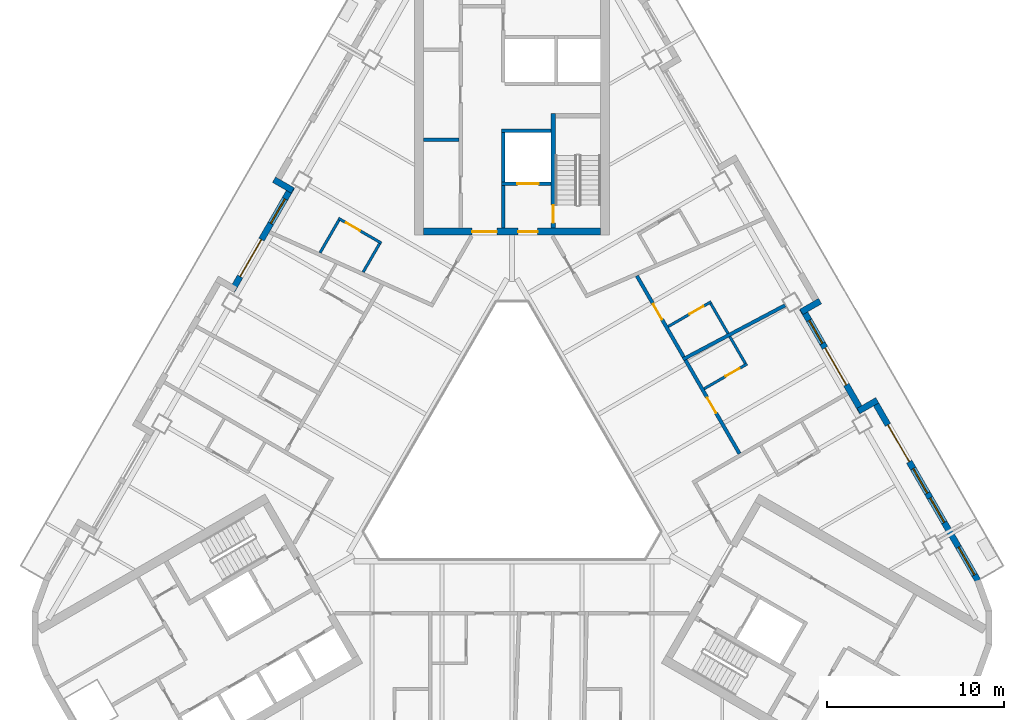
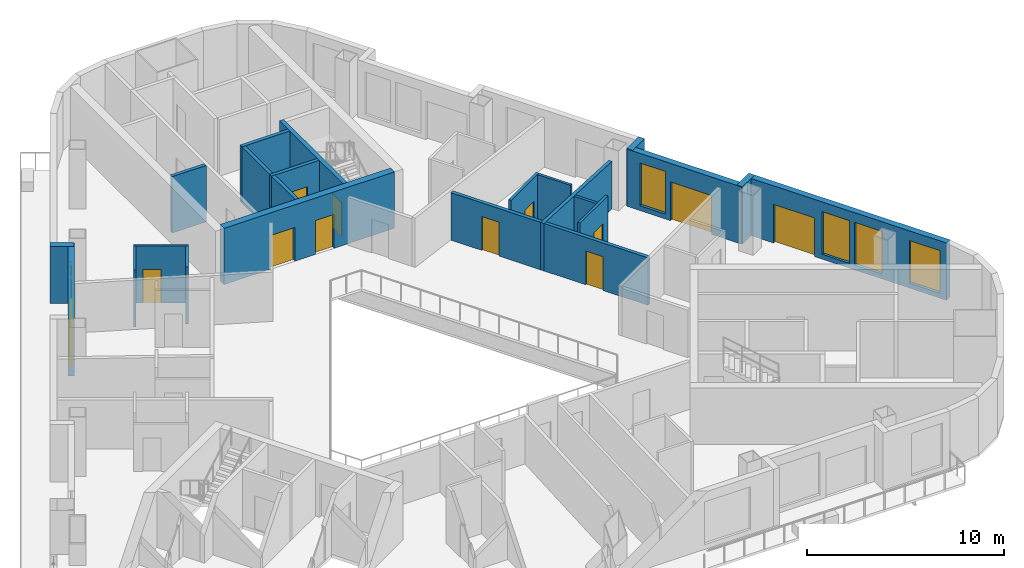
# One storey, part 6 of 14: 23 walls, 12 doors, 5 windows, 17 openings.
"""IFC4 building model written with IfcOpenShell, lengths in metres."""

from ifc_helpers import new_model, si_unit, direction, frame, frame_2d, origin, place, context, subcontext, project, spatial, rectangle, extrude, material, layer, layer_set, type_object, element, fill, save


model = new_model("IFC4")

# Units and contexts
model_context = context("Model", 3, precision=1e-05, world=origin(), true_north=direction((0.0, 1.0)))
body_context = subcontext(model_context, "Body", "Model", "MODEL_VIEW")
ifc_project = project(units=[si_unit("LENGTHUNIT", "METRE"), si_unit("AREAUNIT", "SQUARE_METRE"), si_unit("VOLUMEUNIT", "CUBIC_METRE"), si_unit("PLANEANGLEUNIT", "RADIAN"), si_unit("MASSUNIT", "GRAM", prefix="KILO")], contexts=[model_context])

# Site, building, storey
site_placement = place(None, origin())
site = spatial("IfcSite", under=ifc_project, at=site_placement, CompositionType="ELEMENT")
building_placement = place(site_placement, origin())
building = spatial("IfcBuilding", under=site, at=building_placement, Name="Apuvela Tower Hotel", CompositionType="ELEMENT")
storey_placement = place(building_placement, frame((0.0, 0.0, 157.699951171875)))
storey = spatial("IfcBuildingStorey", under=building, at=storey_placement, Name="L37", CompositionType="ELEMENT", Elevation=157.699951171875)

# Wall, openings, doors
ifc_material_1 = material(Name="Concrete C50/60", Category="concrete")
ifc_layer_1 = layer(ifc_material_1, 0.39990234375)
ifc_layer_set_1 = layer_set([ifc_layer_1], Name="COR-WALL-CORE-400")
wall_type_1 = type_object("IfcWallType", Name="COR-WALL-CORE-400", PredefinedType="SHEAR", material=ifc_layer_set_1)
wall_1_placement = place(storey_placement, frame((5.0, 13.10009765625, 0.0), z_axis=(0.0, 0.0, 1.0), x_axis=(-1.0, 0.0, 0.0)))
wall_1 = element("IfcWall", 1, at=wall_1_placement, inside=storey, type_object=wall_type_1, Name="Core wall N", PredefinedType="SHEAR", context=body_context, shape_type="SweptSolid", body=[
    extrude(rectangle(XDim=10.0, YDim=0.39990234375, at=frame_2d((5.0, 0.0))), origin(), (0.0, 0.0, 1.0), 3.5),
])
opening_1_placement = place(wall_1_placement, frame((3.550048828125, 0.0, 0.0)))
opening_1 = element("IfcOpeningElement", 2, at=opening_1_placement, cuts=wall_1, Name="Opening N-FD", PredefinedType="OPENING", context=body_context, shape_type="SweptSolid", body=[
    extrude(rectangle(XDim=1.10009765625, YDim=2.10009765625, at=frame_2d((0.550048828125, 1.050048828125))), frame((0.0, 0.2099609375, 0.0), z_axis=(0.0, -1.0, 0.0), x_axis=(1.0, 0.0, 0.0)), (0.0, 0.0, 1.0), 0.419921875),
])
opening_2_placement = place(wall_1_placement, frame((5.85009765625, 0.0, 0.0)))
opening_2 = element("IfcOpeningElement", 3, at=opening_2_placement, cuts=wall_1, Name="Opening N-GD", PredefinedType="OPENING", context=body_context, shape_type="SweptSolid", body=[
    extrude(rectangle(XDim=1.39990234375, YDim=2.10009765625, at=frame_2d((0.699951171875, 1.050048828125))), frame((0.0, 0.2099609375, 0.0), z_axis=(0.0, -1.0, 0.0), x_axis=(1.0, 0.0, 0.0)), (0.0, 0.0, 1.0), 0.419921875),
])
ifc_material_2 = material(Name="Steel fire door, powder coated", Category="steel")
door_type_1 = type_object("IfcDoorType", Name="COR-FD-1100", OperationType="NOTDEFINED", PredefinedType="DOOR", material=ifc_material_2)
door_1_placement = place(opening_1_placement, frame((1.10009765625, 0.0, 0.0), z_axis=(0.0, 0.0, 1.0), x_axis=(-1.0, 0.0, 0.0)))
door_1 = element("IfcDoor", 4, at=door_1_placement, inside=storey, type_object=door_type_1, Name="Firefighting lobby door N-FD", OperationType="SINGLE_SWING_LEFT", OverallHeight=2.10009765625, OverallWidth=1.10009765625, PredefinedType="DOOR", context=body_context, shape_type="SweptSolid", body=[
    extrude(rectangle(XDim=1.10009765625, YDim=2.10009765625, at=frame_2d((0.550048828125, 1.050048828125))), frame((0.0, 0.02490234375, 0.0), z_axis=(0.0, -1.0, 0.0), x_axis=(1.0, 0.0, 0.0)), (0.0, 0.0, 1.0), 0.050048828125),
])
fill(opening_1, door_1)
ifc_material_3 = material(Name="Glazed steel fire door", Category="steel")
door_type_2 = type_object("IfcDoorType", Name="COR-GD-1400", OperationType="DOUBLE_DOOR_SINGLE_SWING", PredefinedType="DOOR", material=ifc_material_3)
door_2_placement = place(opening_2_placement, frame((1.39990234375, 0.0, 0.0), z_axis=(0.0, 0.0, 1.0), x_axis=(-1.0, 0.0, 0.0)))
door_2 = element("IfcDoor", 5, at=door_2_placement, inside=storey, type_object=door_type_2, Name="Lift lobby door N-GD", OperationType="DOUBLE_DOOR_SINGLE_SWING", OverallHeight=2.10009765625, OverallWidth=1.39990234375, PredefinedType="DOOR", context=body_context, shape_type="SweptSolid", body=[
    extrude(rectangle(XDim=1.39990234375, YDim=2.10009765625, at=frame_2d((0.699951171875, 1.050048828125))), frame((0.0, 0.02490234375, 0.0), z_axis=(0.0, -1.0, 0.0), x_axis=(1.0, 0.0, 0.0)), (0.0, 0.0, 1.0), 0.050048828125),
])
fill(opening_2, door_2)

# Wall
ifc_layer_2 = layer(ifc_material_1, 0.199951171875)
ifc_layer_set_2 = layer_set([ifc_layer_2], Name="COR-WALL-SHAFT-200")
wall_type_2 = type_object("IfcWallType", Name="COR-WALL-SHAFT-200", PredefinedType="SHEAR", material=ifc_layer_set_2)
wall_2_placement = place(storey_placement, frame((2.199951171875, 18.800048828125, 0.0), z_axis=(0.0, 0.0, 1.0), x_axis=(-1.0, 0.0, 0.0)))
element("IfcWall", 6, at=wall_2_placement, inside=storey, type_object=wall_type_2, Name="Shaft wall N", PredefinedType="SHEAR", context=body_context, shape_type="SweptSolid", body=[
    extrude(rectangle(XDim=2.800048828125, YDim=0.199951171875, at=frame_2d((1.39990234375, 0.0))), origin(), (0.0, 0.0, 1.0), 3.5),
])

# Wall, opening, door
wall_3_placement = place(storey_placement, frame((2.199951171875, 15.800048828125, 0.0), z_axis=(0.0, 0.0, 1.0), x_axis=(-1.0, 0.0, 0.0)))
wall_3 = element("IfcWall", 7, at=wall_3_placement, inside=storey, type_object=wall_type_2, Name="Shaft wall N", PredefinedType="SHEAR", context=body_context, shape_type="SweptSolid", body=[
    extrude(rectangle(XDim=2.800048828125, YDim=0.199951171875, at=frame_2d((1.39990234375, 0.0))), origin(), (0.0, 0.0, 1.0), 3.5),
])
opening_3_placement = place(wall_3_placement, frame((0.699951171875, 0.0, 0.0)))
opening_3 = element("IfcOpeningElement", 8, at=opening_3_placement, cuts=wall_3, Name="Opening N-LD-FS1", PredefinedType="OPENING", context=body_context, shape_type="SweptSolid", body=[
    extrude(rectangle(XDim=1.199951171875, YDim=2.10009765625, at=frame_2d((0.60009765625, 1.050048828125))), frame((0.0, 0.10986328125, 0.0), z_axis=(0.0, -1.0, 0.0), x_axis=(1.0, 0.0, 0.0)), (0.0, 0.0, 1.0), 0.219970703125),
])
ifc_material_4 = material(Name="Stainless steel lift landing door", Category="steel")
door_type_3 = type_object("IfcDoorType", Name="COR-LD-1200", OperationType="DOUBLE_DOOR_SLIDING", PredefinedType="DOOR", material=ifc_material_4)
door_3_placement = place(opening_3_placement, origin())
door_3 = element("IfcDoor", 9, at=door_3_placement, inside=storey, type_object=door_type_3, Name="Lift landing door N-LD-FS1", OperationType="DOUBLE_DOOR_SLIDING", OverallHeight=2.10009765625, OverallWidth=1.199951171875, PredefinedType="DOOR", context=body_context, shape_type="SweptSolid", body=[
    extrude(rectangle(XDim=1.199951171875, YDim=2.10009765625, at=frame_2d((0.60009765625, 1.050048828125))), frame((0.0, 0.02490234375, 0.0), z_axis=(0.0, -1.0, 0.0), x_axis=(1.0, 0.0, 0.0)), (0.0, 0.0, 1.0), 0.050048828125),
])
fill(opening_3, door_3)

# Walls
wall_4_placement = place(storey_placement, frame((-0.5, 15.89990234375, 0.0), z_axis=(0.0, 0.0, 1.0), x_axis=(0.0, 1.0, 0.0)))
element("IfcWall", 10, at=wall_4_placement, inside=storey, type_object=wall_type_2, Name="Shaft wall N", PredefinedType="SHEAR", context=body_context, shape_type="SweptSolid", body=[
    extrude(rectangle(XDim=2.800048828125, YDim=0.199951171875, at=frame_2d((1.39990234375, 0.0))), origin(), (0.0, 0.0, 1.0), 3.5),
])
wall_5_placement = place(storey_placement, frame((-0.5, 13.300048828125, 0.0), z_axis=(0.0, 0.0, 1.0), x_axis=(0.0, 1.0, 0.0)))
element("IfcWall", 11, at=wall_5_placement, inside=storey, type_object=wall_type_2, Name="Shaft wall N", PredefinedType="SHEAR", context=body_context, shape_type="SweptSolid", body=[
    extrude(rectangle(XDim=2.39990234375, YDim=0.199951171875, at=frame_2d((1.199951171875, 0.0))), origin(), (0.0, 0.0, 1.0), 3.5),
])
wall_6_placement = place(storey_placement, frame((-3.0, 18.280029296875, 0.0), z_axis=(0.0, 0.0, 1.0), x_axis=(-1.0, 0.0, 0.0)))
element("IfcWall", 12, at=wall_6_placement, inside=storey, type_object=wall_type_2, Name="Shaft wall N", PredefinedType="SHEAR", context=body_context, shape_type="SweptSolid", body=[
    extrude(rectangle(XDim=2.0, YDim=0.199951171875, at=frame_2d((1.0, 0.0))), origin(), (0.0, 0.0, 1.0), 3.5),
])

# Wall, opening, door
ifc_layer_3 = layer(ifc_material_1, 0.25)
ifc_layer_set_3 = layer_set([ifc_layer_3], Name="COR-WALL-STAIR-250")
wall_type_3 = type_object("IfcWallType", Name="COR-WALL-STAIR-250", PredefinedType="SHEAR", material=ifc_layer_set_3)
wall_7_placement = place(storey_placement, frame((2.324951171875, 13.300048828125, 0.0), z_axis=(0.0, 0.0, 1.0), x_axis=(0.0, 1.0, 0.0)))
wall_7 = element("IfcWall", 13, at=wall_7_placement, inside=storey, type_object=wall_type_3, Name="Stair wall N", PredefinedType="SHEAR", context=body_context, shape_type="SweptSolid", body=[
    extrude(rectangle(XDim=6.449951171875, YDim=0.25, at=frame_2d((3.22509765625, 0.0))), origin(), (0.0, 0.0, 1.0), 3.5),
])
opening_4_placement = place(wall_7_placement, frame((0.300048828125, 0.0, 0.0)))
opening_4 = element("IfcOpeningElement", 14, at=opening_4_placement, cuts=wall_7, Name="Opening N-SD", PredefinedType="OPENING", context=body_context, shape_type="SweptSolid", body=[
    extrude(rectangle(XDim=1.0, YDim=2.10009765625, at=frame_2d((0.5, 1.050048828125))), frame((0.0, 0.135009765625, 0.0), z_axis=(0.0, -1.0, 0.0), x_axis=(1.0, 0.0, 0.0)), (0.0, 0.0, 1.0), 0.27001953125),
])
door_type_4 = type_object("IfcDoorType", Name="COR-SD-1000", OperationType="NOTDEFINED", PredefinedType="DOOR", material=ifc_material_2)
door_4_placement = place(opening_4_placement, frame((1.0, 0.0, 0.0), z_axis=(0.0, 0.0, 1.0), x_axis=(-1.0, 0.0, 0.0)))
door_4 = element("IfcDoor", 15, at=door_4_placement, inside=storey, type_object=door_type_4, Name="Stair door N-SD", OperationType="SINGLE_SWING_LEFT", OverallHeight=2.10009765625, OverallWidth=1.0, PredefinedType="DOOR", context=body_context, shape_type="SweptSolid", body=[
    extrude(rectangle(XDim=1.0, YDim=2.10009765625, at=frame_2d((0.5, 1.050048828125))), frame((0.0, 0.02490234375, 0.0), z_axis=(0.0, -1.0, 0.0), x_axis=(1.0, 0.0, 0.0)), (0.0, 0.0, 1.0), 0.050048828125),
])
fill(opening_4, door_4)

# Wall
ifc_material_5 = material(Name="Concrete C40/50, dark pigmented precast panel", Category="concrete")
ifc_layer_4 = layer(ifc_material_5, 0.35009765625)
ifc_layer_set_4 = layer_set([ifc_layer_4], Name="ENV-WALL-350")
wall_type_4 = type_object("IfcWallType", Name="ENV-WALL-350", PredefinedType="SOLIDWALL", material=ifc_layer_set_4)
wall_8_placement = place(storey_placement, frame((-13.41259765625, 16.02880859375, 0.0), z_axis=(0.0, 0.0, 1.0), x_axis=(0.866005645448, -0.500034220881, 0.0)))
element("IfcWall", 16, at=wall_8_placement, inside=storey, type_object=wall_type_4, Name="External wall L37-02", PredefinedType="SOLIDWALL", context=body_context, shape_type="SweptSolid", body=[
    extrude(rectangle(XDim=1.22021484375, YDim=0.35009765625, at=frame_2d((0.610107421875, 0.0))), origin(), (0.0, 0.0, 1.0), 3.550048828125),
])

# Wall, openings, door, window
wall_9_placement = place(storey_placement, frame((-12.408935546875, 15.616943359375, 0.0), z_axis=(0.0, 0.0, 1.0), x_axis=(-0.500003597184, -0.866023326939, 0.0)))
wall_9 = element("IfcWall", 17, at=wall_9_placement, inside=storey, type_object=wall_type_4, Name="External wall L37-03", PredefinedType="SOLIDWALL", context=body_context, shape_type="SweptSolid", body=[
    extrude(rectangle(XDim=6.740234375, YDim=0.35009765625, at=frame_2d((3.3701171875, 0.0))), origin(), (0.0, 0.0, 1.0), 3.550048828125),
])
opening_5_placement = place(wall_9_placement, frame((0.77001953125, 0.0, 0.300048828125)))
opening_5 = element("IfcOpeningElement", 18, at=opening_5_placement, cuts=wall_9, Name="Opening WN16", PredefinedType="OPENING", context=body_context, shape_type="SweptSolid", body=[
    extrude(rectangle(XDim=1.60009765625, YDim=2.64990234375, at=frame_2d((0.800048828125, 1.324951171875))), frame((0.0, 0.18505859375, 0.0), z_axis=(0.0, -1.0, 0.0), x_axis=(1.0, 0.0, 0.0)), (0.0, 0.0, 1.0), 0.3701171875),
])
opening_6_placement = place(wall_9_placement, frame((3.423828125, 0.0, 0.0)))
opening_6 = element("IfcOpeningElement", 19, at=opening_6_placement, cuts=wall_9, Name="Opening BD24", PredefinedType="OPENING", context=body_context, shape_type="SweptSolid", body=[
    extrude(rectangle(XDim=2.39990234375, YDim=2.39990234375, at=frame_2d((1.199951171875, 1.199951171875))), frame((0.0, 0.18505859375, 0.0), z_axis=(0.0, -1.0, 0.0), x_axis=(1.0, 0.0, 0.0)), (0.0, 0.0, 1.0), 0.3701171875),
])
ifc_material_6 = material(Name="Aluminium 6063-T6, dark bronze anodised frame with dark tinted laminated glass", Category="aluminium")
door_type_5 = type_object("IfcDoorType", Name="ENV-DOOR-BALCONY-2400x2400", OperationType="SLIDING_TO_LEFT", PredefinedType="DOOR", material=ifc_material_6)
door_5_placement = place(opening_6_placement, frame((2.39990234375, 0.0, 0.0), z_axis=(0.0, 0.0, 1.0), x_axis=(-1.0, 0.0, 0.0)))
door_5 = element("IfcDoor", 20, at=door_5_placement, inside=storey, type_object=door_type_5, Name="Balcony door BD24", OperationType="SLIDING_TO_LEFT", OverallHeight=2.39990234375, OverallWidth=2.39990234375, PredefinedType="DOOR", context=body_context, shape_type="SweptSolid", body=[
    extrude(rectangle(XDim=2.39990234375, YDim=2.39990234375, at=frame_2d((1.199951171875, 1.199951171875))), frame((0.0, 0.02490234375, 0.0), z_axis=(0.0, -1.0, 0.0), x_axis=(1.0, 0.0, 0.0)), (0.0, 0.0, 1.0), 0.050048828125),
])
fill(opening_6, door_5)
ifc_material_7 = material(Name="Glass, dark tinted laminated insulated glazing unit", Category="glass")
window_type_1 = type_object("IfcWindowType", Name="ENV-WIN-1600x2650", PartitioningType="SINGLE_PANEL", PredefinedType="WINDOW", material=ifc_material_7)
window_1_placement = place(opening_5_placement, origin())
window_1 = element("IfcWindow", 21, at=window_1_placement, inside=storey, type_object=window_type_1, Name="Window WN16", OverallHeight=2.64990234375, OverallWidth=1.60009765625, PartitioningType="SINGLE_PANEL", PredefinedType="WINDOW", context=body_context, shape_type="SweptSolid", body=[
    extrude(rectangle(XDim=1.60009765625, YDim=2.64990234375, at=frame_2d((0.800048828125, 1.324951171875))), frame((0.0, 0.030029296875, 0.0), z_axis=(0.0, -1.0, 0.0), x_axis=(1.0, 0.0, 0.0)), (0.0, 0.0, 1.0), 0.06005859375),
])
fill(opening_5, window_1)

# Wall, openings, door, windows
wall_10_placement = place(storey_placement, frame((26.256591796875, -6.5673828125, 0.0), z_axis=(0.0, 0.0, 1.0), x_axis=(-0.500023526245, 0.866011820475, 0.0)))
wall_10 = element("IfcWall", 22, at=wall_10_placement, inside=storey, type_object=wall_type_4, Name="External wall L37-33", PredefinedType="SOLIDWALL", context=body_context, shape_type="SweptSolid", body=[
    extrude(rectangle(XDim=11.81591796875, YDim=0.35009765625, at=frame_2d((5.907958984375, 0.0))), origin(), (0.0, 0.0, 1.0), 3.550048828125),
])
opening_7_placement = place(wall_10_placement, frame((0.380126953125, 0.0, 0.300048828125)))
opening_7 = element("IfcOpeningElement", 23, at=opening_7_placement, cuts=wall_10, Name="Opening WN18", PredefinedType="OPENING", context=body_context, shape_type="SweptSolid", body=[
    extrude(rectangle(XDim=1.800048828125, YDim=2.64990234375, at=frame_2d((0.89990234375, 1.324951171875))), frame((0.0, 0.18505859375, 0.0), z_axis=(0.0, -1.0, 0.0), x_axis=(1.0, 0.0, 0.0)), (0.0, 0.0, 1.0), 0.3701171875),
])
opening_8_placement = place(wall_10_placement, frame((7.7412109375, 0.0, 0.0)))
opening_8 = element("IfcOpeningElement", 24, at=opening_8_placement, cuts=wall_10, Name="Opening BD24", PredefinedType="OPENING", context=body_context, shape_type="SweptSolid", body=[
    extrude(rectangle(XDim=2.39990234375, YDim=2.39990234375, at=frame_2d((1.199951171875, 1.199951171875))), frame((0.0, 0.18505859375, 0.0), z_axis=(0.0, -1.0, 0.0), x_axis=(1.0, 0.0, 0.0)), (0.0, 0.0, 1.0), 0.3701171875),
])
opening_9_placement = place(wall_10_placement, frame((3.791015625, 0.0, 0.300048828125)))
opening_9 = element("IfcOpeningElement", 25, at=opening_9_placement, cuts=wall_10, Name="Opening WN16", PredefinedType="OPENING", context=body_context, shape_type="SweptSolid", body=[
    extrude(rectangle(XDim=1.60009765625, YDim=2.64990234375, at=frame_2d((0.800048828125, 1.324951171875))), frame((0.0, 0.18505859375, 0.0), z_axis=(0.0, -1.0, 0.0), x_axis=(1.0, 0.0, 0.0)), (0.0, 0.0, 1.0), 0.3701171875),
])
opening_10_placement = place(wall_10_placement, frame((5.69091796875, 0.0, 0.300048828125)))
opening_10 = element("IfcOpeningElement", 26, at=opening_10_placement, cuts=wall_10, Name="Opening WN16", PredefinedType="OPENING", context=body_context, shape_type="SweptSolid", body=[
    extrude(rectangle(XDim=1.60009765625, YDim=2.64990234375, at=frame_2d((0.800048828125, 1.324951171875))), frame((0.0, 0.18505859375, 0.0), z_axis=(0.0, -1.0, 0.0), x_axis=(1.0, 0.0, 0.0)), (0.0, 0.0, 1.0), 0.3701171875),
])
door_6_placement = place(opening_8_placement, frame((2.39990234375, 0.0, 0.0), z_axis=(0.0, 0.0, 1.0), x_axis=(-1.0, 0.0, 0.0)))
door_6 = element("IfcDoor", 27, at=door_6_placement, inside=storey, type_object=door_type_5, Name="Balcony door BD24", OperationType="SLIDING_TO_LEFT", OverallHeight=2.39990234375, OverallWidth=2.39990234375, PredefinedType="DOOR", context=body_context, shape_type="SweptSolid", body=[
    extrude(rectangle(XDim=2.39990234375, YDim=2.39990234375, at=frame_2d((1.199951171875, 1.199951171875))), frame((0.0, 0.02490234375, 0.0), z_axis=(0.0, -1.0, 0.0), x_axis=(1.0, 0.0, 0.0)), (0.0, 0.0, 1.0), 0.050048828125),
])
fill(opening_8, door_6)
window_2_placement = place(opening_9_placement, origin())
window_2 = element("IfcWindow", 28, at=window_2_placement, inside=storey, type_object=window_type_1, Name="Window WN16", OverallHeight=2.64990234375, OverallWidth=1.60009765625, PartitioningType="SINGLE_PANEL", PredefinedType="WINDOW", context=body_context, shape_type="SweptSolid", body=[
    extrude(rectangle(XDim=1.60009765625, YDim=2.64990234375, at=frame_2d((0.800048828125, 1.324951171875))), frame((0.0, 0.030029296875, 0.0), z_axis=(0.0, -1.0, 0.0), x_axis=(1.0, 0.0, 0.0)), (0.0, 0.0, 1.0), 0.06005859375),
])
fill(opening_9, window_2)
window_3_placement = place(opening_10_placement, origin())
window_3 = element("IfcWindow", 29, at=window_3_placement, inside=storey, type_object=window_type_1, Name="Window WN16", OverallHeight=2.64990234375, OverallWidth=1.60009765625, PartitioningType="SINGLE_PANEL", PredefinedType="WINDOW", context=body_context, shape_type="SweptSolid", body=[
    extrude(rectangle(XDim=1.60009765625, YDim=2.64990234375, at=frame_2d((0.800048828125, 1.324951171875))), frame((0.0, 0.030029296875, 0.0), z_axis=(0.0, -1.0, 0.0), x_axis=(1.0, 0.0, 0.0)), (0.0, 0.0, 1.0), 0.06005859375),
])
fill(opening_10, window_3)
window_type_2 = type_object("IfcWindowType", Name="ENV-WIN-1800x2650", PartitioningType="SINGLE_PANEL", PredefinedType="WINDOW", material=ifc_material_7)
window_4_placement = place(opening_7_placement, origin())
window_4 = element("IfcWindow", 30, at=window_4_placement, inside=storey, type_object=window_type_2, Name="Window WN18", OverallHeight=2.64990234375, OverallWidth=1.800048828125, PartitioningType="SINGLE_PANEL", PredefinedType="WINDOW", context=body_context, shape_type="SweptSolid", body=[
    extrude(rectangle(XDim=1.800048828125, YDim=2.64990234375, at=frame_2d((0.89990234375, 1.324951171875))), frame((0.0, 0.030029296875, 0.0), z_axis=(0.0, -1.0, 0.0), x_axis=(1.0, 0.0, 0.0)), (0.0, 0.0, 1.0), 0.06005859375),
])
fill(opening_7, window_4)

# Wall
wall_11_placement = place(storey_placement, frame((20.587646484375, 3.601318359375, 0.0), z_axis=(0.0, 0.0, 1.0), x_axis=(-0.866005645448, -0.500034220881, 0.0)))
element("IfcWall", 31, at=wall_11_placement, inside=storey, type_object=wall_type_4, Name="External wall L37-34", PredefinedType="SOLIDWALL", context=body_context, shape_type="SweptSolid", body=[
    extrude(rectangle(XDim=1.22021484375, YDim=0.35009765625, at=frame_2d((0.610107421875, 0.0))), origin(), (0.0, 0.0, 1.0), 3.550048828125),
])

# Wall, openings, door, window
wall_12_placement = place(storey_placement, frame((19.72900390625, 2.93798828125, 0.0), z_axis=(0.0, 0.0, 1.0), x_axis=(-0.499976430342, 0.866039011305, 0.0)))
wall_12 = element("IfcWall", 32, at=wall_12_placement, inside=storey, type_object=wall_type_4, Name="External wall L37-35", PredefinedType="SOLIDWALL", context=body_context, shape_type="SweptSolid", body=[
    extrude(rectangle(XDim=6.739990234375, YDim=0.35009765625, at=frame_2d((3.3701171875, 0.0))), origin(), (0.0, 0.0, 1.0), 3.550048828125),
])
opening_11_placement = place(wall_12_placement, frame((1.77001953125, 0.0, 0.0)))
opening_11 = element("IfcOpeningElement", 33, at=opening_11_placement, cuts=wall_12, Name="Opening BD24", PredefinedType="OPENING", context=body_context, shape_type="SweptSolid", body=[
    extrude(rectangle(XDim=2.39990234375, YDim=2.39990234375, at=frame_2d((1.199951171875, 1.199951171875))), frame((0.0, 0.18505859375, 0.0), z_axis=(0.0, -1.0, 0.0), x_axis=(1.0, 0.0, 0.0)), (0.0, 0.0, 1.0), 0.3701171875),
])
opening_12_placement = place(wall_12_placement, frame((4.469970703125, 0.0, 0.300048828125)))
opening_12 = element("IfcOpeningElement", 34, at=opening_12_placement, cuts=wall_12, Name="Opening WN15", PredefinedType="OPENING", context=body_context, shape_type="SweptSolid", body=[
    extrude(rectangle(XDim=1.5, YDim=2.64990234375, at=frame_2d((0.75, 1.324951171875))), frame((0.0, 0.18505859375, 0.0), z_axis=(0.0, -1.0, 0.0), x_axis=(1.0, 0.0, 0.0)), (0.0, 0.0, 1.0), 0.3701171875),
])
door_7_placement = place(opening_11_placement, frame((2.39990234375, 0.0, 0.0), z_axis=(0.0, 0.0, 1.0), x_axis=(-1.0, 0.0, 0.0)))
door_7 = element("IfcDoor", 35, at=door_7_placement, inside=storey, type_object=door_type_5, Name="Balcony door BD24", OperationType="SLIDING_TO_LEFT", OverallHeight=2.39990234375, OverallWidth=2.39990234375, PredefinedType="DOOR", context=body_context, shape_type="SweptSolid", body=[
    extrude(rectangle(XDim=2.39990234375, YDim=2.39990234375, at=frame_2d((1.199951171875, 1.199951171875))), frame((0.0, 0.02490234375, 0.0), z_axis=(0.0, -1.0, 0.0), x_axis=(1.0, 0.0, 0.0)), (0.0, 0.0, 1.0), 0.050048828125),
])
fill(opening_11, door_7)
window_type_3 = type_object("IfcWindowType", Name="ENV-WIN-1500x2650", PartitioningType="SINGLE_PANEL", PredefinedType="WINDOW", material=ifc_material_7)
window_5_placement = place(opening_12_placement, origin())
window_5 = element("IfcWindow", 36, at=window_5_placement, inside=storey, type_object=window_type_3, Name="Window WN15", OverallHeight=2.64990234375, OverallWidth=1.5, PartitioningType="SINGLE_PANEL", PredefinedType="WINDOW", context=body_context, shape_type="SweptSolid", body=[
    extrude(rectangle(XDim=1.5, YDim=2.64990234375, at=frame_2d((0.75, 1.324951171875))), frame((0.0, 0.030029296875, 0.0), z_axis=(0.0, -1.0, 0.0), x_axis=(1.0, 0.0, 0.0)), (0.0, 0.0, 1.0), 0.06005859375),
])
fill(opening_12, window_5)

# Walls
wall_13_placement = place(storey_placement, frame((16.305908203125, 8.5771484375, 0.0), z_axis=(0.0, 0.0, 1.0), x_axis=(0.866092288191, 0.499884134912, 0.0)))
element("IfcWall", 37, at=wall_13_placement, inside=storey, type_object=wall_type_4, Name="External wall L37-36", PredefinedType="SOLIDWALL", context=body_context, shape_type="SweptSolid", body=[
    extrude(rectangle(XDim=1.219970703125, YDim=0.35009765625, at=frame_2d((0.60986328125, 0.0))), origin(), (0.0, 0.0, 1.0), 3.550048828125),
])
ifc_material_8 = material(Name="Gypsum board partition on twin steel stud", Category="steel")
ifc_layer_5 = layer(ifc_material_8, 0.199951171875)
ifc_layer_set_5 = layer_set([ifc_layer_5], Name="GST-PW1")
wall_type_5 = type_object("IfcWallType", Name="GST-PW1", PredefinedType="PARTITIONING", material=ifc_layer_set_5)
wall_14_placement = place(storey_placement, frame((15.39208984375, 8.949951171875, 0.0), z_axis=(0.0, 0.0, 1.0), x_axis=(-0.883969397176, -0.467544762408, 0.0)))
element("IfcWall", 38, at=wall_14_placement, inside=storey, type_object=wall_type_5, Name="L37 partition 05", PredefinedType="PARTITIONING", context=body_context, shape_type="SweptSolid", body=[
    extrude(rectangle(XDim=6.509521484375, YDim=0.199951171875, at=frame_2d((3.2548828125, 0.0))), origin(), (0.0, 0.0, 1.0), 2.949951171875),
])

# Wall, opening, door
ifc_material_9 = material(Name="Gypsum board corridor wall on twin steel stud, acoustic", Category="steel")
ifc_layer_6 = layer(ifc_material_9, 0.199951171875)
ifc_layer_set_6 = layer_set([ifc_layer_6], Name="GST-PW2")
wall_type_6 = type_object("IfcWallType", Name="GST-PW2", PredefinedType="PARTITIONING", material=ifc_layer_set_6)
wall_15_placement = place(storey_placement, frame((9.776611328125, 5.86669921875, 0.0), z_axis=(0.0, 0.0, 1.0), x_axis=(0.499996493545, -0.866027428228, 0.0)))
wall_15 = element("IfcWall", 39, at=wall_15_placement, inside=storey, type_object=wall_type_6, Name="L37 partition 28", PredefinedType="PARTITIONING", context=body_context, shape_type="SweptSolid", body=[
    extrude(rectangle(XDim=6.09228515625, YDim=0.199951171875, at=frame_2d((3.046142578125, 0.0))), origin(), (0.0, 0.0, 1.0), 2.949951171875),
])
opening_13_placement = place(wall_15_placement, frame((2.453857421875, 0.0, 0.0)))
opening_13 = element("IfcOpeningElement", 40, at=opening_13_placement, cuts=wall_15, Name="Opening GD13-12", PredefinedType="OPENING", context=body_context, shape_type="SweptSolid", body=[
    extrude(rectangle(XDim=1.0, YDim=2.10009765625, at=frame_2d((0.5, 1.050048828125))), frame((0.0, 0.10986328125, 0.0), z_axis=(0.0, -1.0, 0.0), x_axis=(1.0, 0.0, 0.0)), (0.0, 0.0, 1.0), 0.219970703125),
])
ifc_material_10 = material(Name="Timber door leaf in steel frame", Category="steel")
door_type_6 = type_object("IfcDoorType", Name="GST-D1", OperationType="NOTDEFINED", PredefinedType="DOOR", material=ifc_material_10)
door_8_placement = place(opening_13_placement, origin())
door_8 = element("IfcDoor", 41, at=door_8_placement, inside=storey, type_object=door_type_6, Name="Door L37-12", OperationType="SINGLE_SWING_RIGHT", OverallHeight=2.10009765625, OverallWidth=1.0, PredefinedType="DOOR", context=body_context, shape_type="SweptSolid", body=[
    extrude(rectangle(XDim=1.0, YDim=2.10009765625, at=frame_2d((0.5, 1.050048828125))), frame((0.0, 0.02490234375, 0.0), z_axis=(0.0, -1.0, 0.0), x_axis=(1.0, 0.0, 0.0)), (0.0, 0.0, 1.0), 0.050048828125),
])
fill(opening_13, door_8)

wall_16_placement = place(storey_placement, frame((7.037109375, 10.611328125, 0.0), z_axis=(0.0, 0.0, 1.0), x_axis=(0.500004030971, -0.86602307649, 0.0)))
wall_16 = element("IfcWall", 42, at=wall_16_placement, inside=storey, type_object=wall_type_6, Name="L37 partition 31", PredefinedType="PARTITIONING", context=body_context, shape_type="SweptSolid", body=[
    extrude(rectangle(XDim=5.27880859375, YDim=0.199951171875, at=frame_2d((2.639404296875, 0.0))), origin(), (0.0, 0.0, 1.0), 2.949951171875),
])
opening_14_placement = place(wall_16_placement, frame((1.83251953125, 0.0, 0.0)))
opening_14 = element("IfcOpeningElement", 43, at=opening_14_placement, cuts=wall_16, Name="Opening GD13-14", PredefinedType="OPENING", context=body_context, shape_type="SweptSolid", body=[
    extrude(rectangle(XDim=1.0, YDim=2.10009765625, at=frame_2d((0.5, 1.050048828125))), frame((0.0, 0.10986328125, 0.0), z_axis=(0.0, -1.0, 0.0), x_axis=(1.0, 0.0, 0.0)), (0.0, 0.0, 1.0), 0.219970703125),
])
door_9_placement = place(opening_14_placement, origin())
door_9 = element("IfcDoor", 44, at=door_9_placement, inside=storey, type_object=door_type_6, Name="Door L37-14", OperationType="SINGLE_SWING_LEFT", OverallHeight=2.10009765625, OverallWidth=1.0, PredefinedType="DOOR", context=body_context, shape_type="SweptSolid", body=[
    extrude(rectangle(XDim=1.0, YDim=2.10009765625, at=frame_2d((0.5, 1.050048828125))), frame((0.0, 0.02490234375, 0.0), z_axis=(0.0, -1.0, 0.0), x_axis=(1.0, 0.0, 0.0)), (0.0, 0.0, 1.0), 0.050048828125),
])
fill(opening_14, door_9)

ifc_material_11 = material(Name="Moisture-resistant gypsum board wet wall on steel stud", Category="steel")
ifc_layer_7 = layer(ifc_material_11, 0.14990234375)
ifc_layer_set_7 = layer_set([ifc_layer_7], Name="GST-PW3")
wall_type_7 = type_object("IfcWallType", Name="GST-PW3", PredefinedType="PARTITIONING", material=ifc_layer_set_7)
wall_17_placement = place(storey_placement, frame((10.827392578125, 4.24609375, 0.0), z_axis=(0.0, 0.0, 1.0), x_axis=(0.866018616679, 0.500011755427, 0.0)))
wall_17 = element("IfcWall", 45, at=wall_17_placement, inside=storey, type_object=wall_type_7, Name="L37 partition 29", PredefinedType="PARTITIONING", context=body_context, shape_type="SweptSolid", body=[
    extrude(rectangle(XDim=2.80029296875, YDim=0.14990234375, at=frame_2d((1.400146484375, 0.0))), origin(), (0.0, 0.0, 1.0), 3.550048828125),
])
opening_15_placement = place(wall_17_placement, frame((1.39990234375, 0.0, 0.0)))
opening_15 = element("IfcOpeningElement", 46, at=opening_15_placement, cuts=wall_17, Name="Opening GD13-11", PredefinedType="OPENING", context=body_context, shape_type="SweptSolid", body=[
    extrude(rectangle(XDim=0.89990234375, YDim=2.10009765625, at=frame_2d((0.449951171875, 1.050048828125))), frame((0.0, 0.0849609375, 0.0), z_axis=(0.0, -1.0, 0.0), x_axis=(1.0, 0.0, 0.0)), (0.0, 0.0, 1.0), 0.169921875),
])
door_type_7 = type_object("IfcDoorType", Name="GST-D2", OperationType="NOTDEFINED", PredefinedType="DOOR", material=ifc_material_10)
door_10_placement = place(opening_15_placement, origin())
door_10 = element("IfcDoor", 47, at=door_10_placement, inside=storey, type_object=door_type_7, Name="Door L37-11", OperationType="SINGLE_SWING_RIGHT", OverallHeight=2.10009765625, OverallWidth=0.89990234375, PredefinedType="DOOR", context=body_context, shape_type="SweptSolid", body=[
    extrude(rectangle(XDim=0.89990234375, YDim=2.10009765625, at=frame_2d((0.449951171875, 1.050048828125))), frame((0.0, 0.02490234375, 0.0), z_axis=(0.0, -1.0, 0.0), x_axis=(1.0, 0.0, 0.0)), (0.0, 0.0, 1.0), 0.050048828125),
])
fill(opening_15, door_10)

# Wall
wall_18_placement = place(storey_placement, frame((13.14990234375, 5.673583984375, 0.0), z_axis=(0.0, 0.0, 1.0), x_axis=(-0.500012451049, 0.866018215049, 0.0)))
element("IfcWall", 48, at=wall_18_placement, inside=storey, type_object=wall_type_7, Name="L37 partition 30", PredefinedType="PARTITIONING", context=body_context, shape_type="SweptSolid", body=[
    extrude(rectangle(XDim=1.7490234375, YDim=0.14990234375, at=frame_2d((0.87451171875, 0.0))), origin(), (0.0, 0.0, 1.0), 2.949951171875),
])

# Wall, opening, door
wall_19_placement = place(storey_placement, frame((11.227294921875, 9.15380859375, 0.0), z_axis=(0.0, 0.0, 1.0), x_axis=(-0.866034573852, -0.49998411664, 0.0)))
wall_19 = element("IfcWall", 49, at=wall_19_placement, inside=storey, type_object=wall_type_7, Name="L37 partition 32", PredefinedType="PARTITIONING", context=body_context, shape_type="SweptSolid", body=[
    extrude(rectangle(XDim=2.7998046875, YDim=0.14990234375, at=frame_2d((1.39990234375, 0.0))), origin(), (0.0, 0.0, 1.0), 3.550048828125),
])
opening_16_placement = place(wall_19_placement, frame((0.5, 0.0, 0.0)))
opening_16 = element("IfcOpeningElement", 50, at=opening_16_placement, cuts=wall_19, Name="Opening GD13-13", PredefinedType="OPENING", context=body_context, shape_type="SweptSolid", body=[
    extrude(rectangle(XDim=0.89990234375, YDim=2.10009765625, at=frame_2d((0.449951171875, 1.050048828125))), frame((0.0, 0.0849609375, 0.0), z_axis=(0.0, -1.0, 0.0), x_axis=(1.0, 0.0, 0.0)), (0.0, 0.0, 1.0), 0.169921875),
])
door_11_placement = place(opening_16_placement, origin())
door_11 = element("IfcDoor", 51, at=door_11_placement, inside=storey, type_object=door_type_7, Name="Door L37-13", OperationType="SINGLE_SWING_LEFT", OverallHeight=2.10009765625, OverallWidth=0.89990234375, PredefinedType="DOOR", context=body_context, shape_type="SweptSolid", body=[
    extrude(rectangle(XDim=0.89990234375, YDim=2.10009765625, at=frame_2d((0.449951171875, 1.050048828125))), frame((0.0, 0.02490234375, 0.0), z_axis=(0.0, -1.0, 0.0), x_axis=(1.0, 0.0, 0.0)), (0.0, 0.0, 1.0), 0.050048828125),
])
fill(opening_16, door_11)

# Wall
wall_20_placement = place(storey_placement, frame((12.17529296875, 7.361572265625, 0.0), z_axis=(0.0, 0.0, 1.0), x_axis=(-0.500014901547, 0.866016800201, 0.0)))
element("IfcWall", 52, at=wall_20_placement, inside=storey, type_object=wall_type_7, Name="L37 partition 33", PredefinedType="PARTITIONING", context=body_context, shape_type="SweptSolid", body=[
    extrude(rectangle(XDim=1.951171875, YDim=0.14990234375, at=frame_2d((0.9755859375, 0.0))), origin(), (0.0, 0.0, 1.0), 3.550048828125),
])

# Wall, opening, door
wall_21_placement = place(storey_placement, frame((-7.3583984375, 12.455078125, 0.0), z_axis=(0.0, 0.0, 1.0), x_axis=(-0.866034573852, 0.49998411664, 0.0)))
wall_21 = element("IfcWall", 53, at=wall_21_placement, inside=storey, type_object=wall_type_7, Name="L37 partition 39", PredefinedType="PARTITIONING", context=body_context, shape_type="SweptSolid", body=[
    extrude(rectangle(XDim=2.7998046875, YDim=0.14990234375, at=frame_2d((1.39990234375, 0.0))), origin(), (0.0, 0.0, 1.0), 3.550048828125),
])
opening_17_placement = place(wall_21_placement, frame((1.39990234375, 0.0, 0.0)))
opening_17 = element("IfcOpeningElement", 54, at=opening_17_placement, cuts=wall_21, Name="Opening GD13-17", PredefinedType="OPENING", context=body_context, shape_type="SweptSolid", body=[
    extrude(rectangle(XDim=0.89990234375, YDim=2.10009765625, at=frame_2d((0.449951171875, 1.050048828125))), frame((0.0, 0.0849609375, 0.0), z_axis=(0.0, -1.0, 0.0), x_axis=(1.0, 0.0, 0.0)), (0.0, 0.0, 1.0), 0.169921875),
])
door_12_placement = place(opening_17_placement, origin())
door_12 = element("IfcDoor", 55, at=door_12_placement, inside=storey, type_object=door_type_7, Name="Door L37-17", OperationType="SINGLE_SWING_RIGHT", OverallHeight=2.10009765625, OverallWidth=0.89990234375, PredefinedType="DOOR", context=body_context, shape_type="SweptSolid", body=[
    extrude(rectangle(XDim=0.89990234375, YDim=2.10009765625, at=frame_2d((0.449951171875, 1.050048828125))), frame((0.0, 0.02490234375, 0.0), z_axis=(0.0, -1.0, 0.0), x_axis=(1.0, 0.0, 0.0)), (0.0, 0.0, 1.0), 0.050048828125),
])
fill(opening_17, door_12)

# Walls
wall_22_placement = place(storey_placement, frame((-9.755859375, 13.75244140625, 0.0), z_axis=(0.0, 0.0, 1.0), x_axis=(-0.50001378257, -0.866017446268, 0.0)))
element("IfcWall", 56, at=wall_22_placement, inside=storey, type_object=wall_type_7, Name="L37 partition 40", PredefinedType="PARTITIONING", context=body_context, shape_type="SweptSolid", body=[
    extrude(rectangle(XDim=2.1279296875, YDim=0.14990234375, at=frame_2d((1.06396484375, 0.0))), origin(), (0.0, 0.0, 1.0), 3.550048828125),
])
wall_23_placement = place(storey_placement, frame((-7.460693359375, 12.427490234375, 0.0), z_axis=(0.0, 0.0, 1.0), x_axis=(-0.500025795397, -0.866010510293, 0.0)))
element("IfcWall", 57, at=wall_23_placement, inside=storey, type_object=wall_type_7, Name="L37 partition 41", PredefinedType="PARTITIONING", context=body_context, shape_type="SweptSolid", body=[
    extrude(rectangle(XDim=1.85791015625, YDim=0.14990234375, at=frame_2d((0.928955078125, 0.0))), origin(), (0.0, 0.0, 1.0), 3.550048828125),
])

save(model, "model.ifc")
